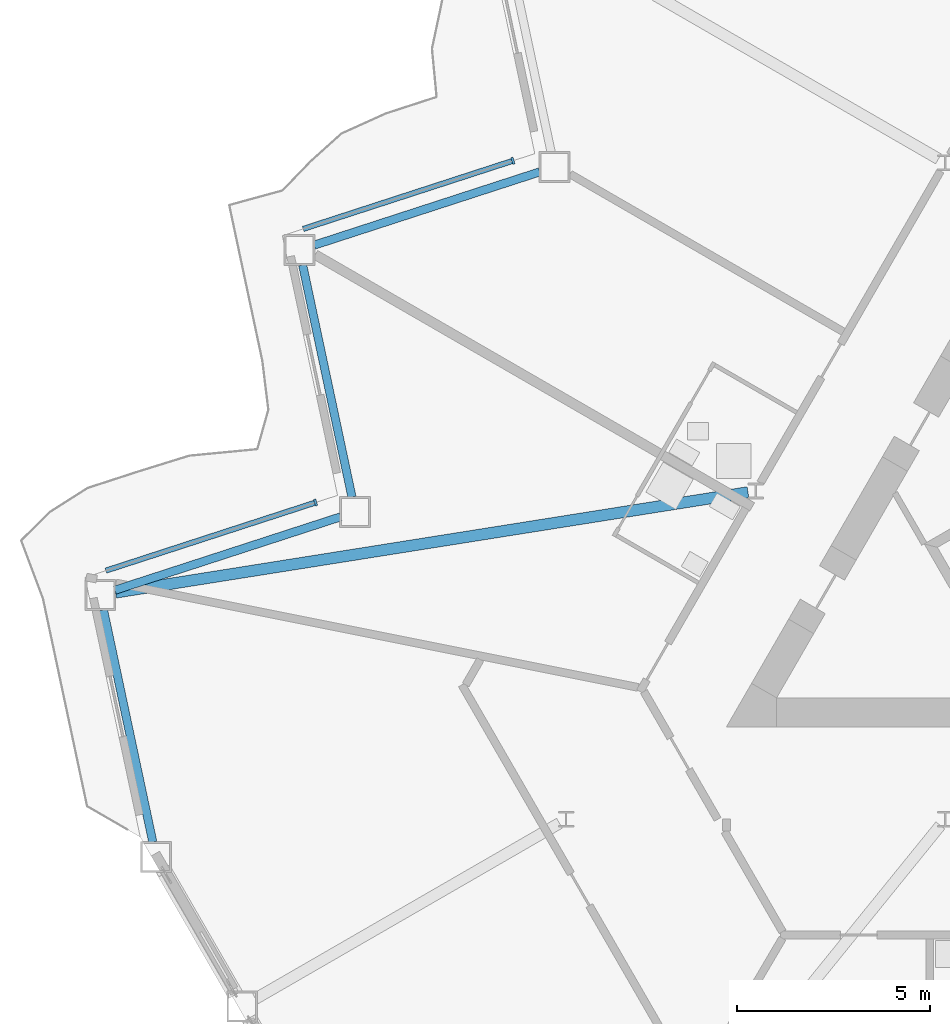
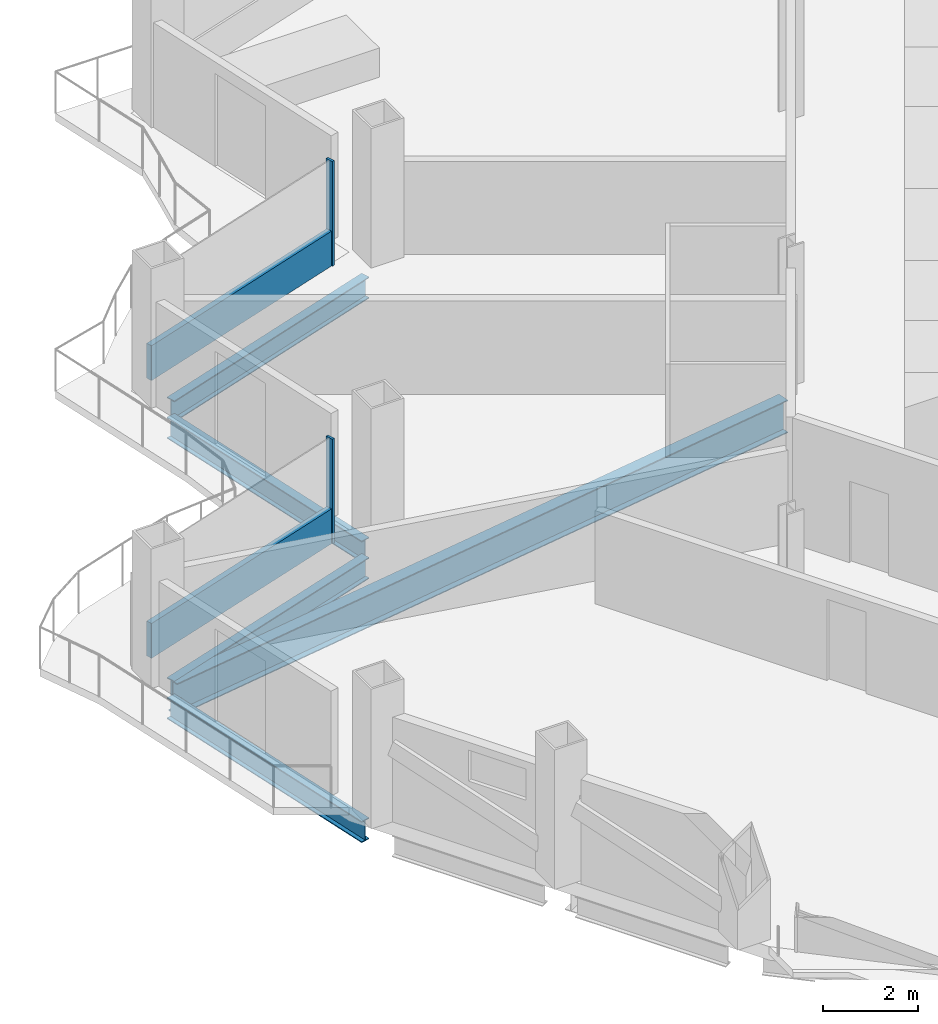
# One storey, part 4 of 23: 5 beams, 4 members, 2 elements without a shape of their own.
"""IFC4 building model written with IfcOpenShell, lengths in metres."""

from ifc_helpers import new_model, si_unit, direction, frame, origin, origin_2d, place, context, subcontext, project, spatial, rectangle, i_section, extrude, material, layer, layer_set, material_profile, profile_set, type_object, element, aggregate, save


model = new_model("IFC4")

# Units and contexts
model_context = context("Model", 3, precision=1e-05, world=origin(), true_north=direction((0.0, 1.0)))
body_context = subcontext(model_context, "Body", "Model", "MODEL_VIEW")
ifc_project = project(units=[si_unit("LENGTHUNIT", "METRE"), si_unit("AREAUNIT", "SQUARE_METRE"), si_unit("VOLUMEUNIT", "CUBIC_METRE"), si_unit("PLANEANGLEUNIT", "RADIAN"), si_unit("MASSUNIT", "GRAM", prefix="KILO")], contexts=[model_context])

# Site, building, storey
site_placement = place(None, origin())
site = spatial("IfcSite", under=ifc_project, at=site_placement, CompositionType="ELEMENT")
building_placement = place(site_placement, origin())
building = spatial("IfcBuilding", under=site, at=building_placement, Name="Cormorant Prow Tower", CompositionType="ELEMENT")
storey_placement = place(building_placement, frame((0.0, 0.0, 172.800048828125)))
storey = spatial("IfcBuildingStorey", under=building, at=storey_placement, Name="L36", CompositionType="ELEMENT", Elevation=172.800048828125)

# Curtain wall, member
ifc_material_1 = material(Name="Aluminium 6063-T6", Category="aluminium")
ifc_layer = layer(ifc_material_1, 0.179931640625)
ifc_layer_set = layer_set([ifc_layer], Name="Aluminium 6063-T6")
curtain_wall_type = type_object("IfcCurtainWallType", Name="Hotel unitised curtain wall 180", PredefinedType="NOTDEFINED", material=ifc_layer_set)
curtain_wall_1_placement = place(storey_placement, origin())
curtain_wall_1 = element("IfcCurtainWall", 1, at=curtain_wall_1_placement, inside=storey, type_object=curtain_wall_type, Name="Hotel curtain wall WNW06", PredefinedType="NOTDEFINED")
ifc_material_2 = material(Name="Aluminium 6063-T6", Category="aluminium")
ifc_material_profile_1 = material_profile(ifc_material_2, rectangle(XDim=0.179931640625, YDim=0.06005859375, at=origin_2d()), Name="Hotel mullion 60x180")
ifc_profile_set_1 = profile_set([ifc_material_profile_1], Name="Aluminium 6063-T6")
member_type_1 = type_object("IfcMemberType", Name="Hotel mullion 60x180", PredefinedType="MULLION", material=ifc_profile_set_1)
member_1_placement = place(storey_placement, frame((-21.039794921875, 5.72705078125, 0.0), z_axis=(0.0, 0.0, 1.0), x_axis=(0.309016937722, -0.951056534703, 0.0)))
member_1 = element("IfcMember", 2, at=member_1_placement, type_object=member_type_1, Name="Hotel mullion WNW06", PredefinedType="MULLION", context=body_context, shape_type="SweptSolid", body=[
    extrude(rectangle(XDim=0.179931640625, YDim=0.06005859375, at=origin_2d()), origin(), (0.0, 0.0, 1.0), 2.700927734375),
])

curtain_wall_2_placement = place(storey_placement, origin())
curtain_wall_2 = element("IfcCurtainWall", 3, at=curtain_wall_2_placement, inside=storey, type_object=curtain_wall_type, Name="Hotel curtain wall WNW08", PredefinedType="NOTDEFINED")
member_2_placement = place(storey_placement, frame((-26.155517578125, -3.133544921875, 0.0), z_axis=(0.0, 0.0, 1.0), x_axis=(0.309017069121, -0.951056492009, 0.0)))
member_2 = element("IfcMember", 4, at=member_2_placement, type_object=member_type_1, Name="Hotel mullion WNW08", PredefinedType="MULLION", context=body_context, shape_type="SweptSolid", body=[
    extrude(rectangle(XDim=0.179931640625, YDim=0.06005859375, at=origin_2d()), origin(), (0.0, 0.0, 1.0), 2.700927734375),
])

# Member
ifc_material_3 = material(Name="Terracotta", Category="masonry")
ifc_material_profile_2 = material_profile(ifc_material_3, rectangle(XDim=0.139892578125, YDim=0.89990234375, at=origin_2d()), Name="Hotel terracotta spandrel rail 140x900")
ifc_profile_set_2 = profile_set([ifc_material_profile_2], Name="Terracotta")
member_type_2 = type_object("IfcMemberType", Name="Hotel terracotta spandrel rail 140x900", PredefinedType="USERDEFINED", material=ifc_profile_set_2)
member_3_placement = place(storey_placement, frame((-21.068359375, 5.7177734375, 0.449951171875), z_axis=(-0.951059615859, -0.309007454735, 0.0), x_axis=(0.309007454735, -0.951059615859, 0.0)))
member_3 = element("IfcMember", 5, at=member_3_placement, type_object=member_type_2, Name="Hotel spandrel rail WNW06", ObjectType="TRANSOM", PredefinedType="USERDEFINED", context=body_context, shape_type="SweptSolid", body=[
    extrude(rectangle(XDim=0.139892578125, YDim=0.89990234375, at=origin_2d()), origin(), (0.0, 0.0, 1.0), 5.687744140625),
])

aggregate(curtain_wall_1, [member_1, member_3])

member_4_placement = place(storey_placement, frame((-26.18408203125, -3.142822265625, 0.449951171875), z_axis=(-0.951059615859, -0.309007454735, 0.0), x_axis=(0.309007454735, -0.951059615859, 0.0)))
member_4 = element("IfcMember", 6, at=member_4_placement, type_object=member_type_2, Name="Hotel spandrel rail WNW08", ObjectType="TRANSOM", PredefinedType="USERDEFINED", context=body_context, shape_type="SweptSolid", body=[
    extrude(rectangle(XDim=0.139892578125, YDim=0.89990234375, at=origin_2d()), origin(), (0.0, 0.0, 1.0), 5.687744140625),
])

aggregate(curtain_wall_2, [member_2, member_4])

# Beams
ifc_material_4 = material(Name="Structural steel ASTM A992 Gr 50", Category="steel")
ifc_material_profile_3 = material_profile(ifc_material_4, i_section(OverallWidth=0.29296875, OverallDepth=0.845703125, WebThickness=0.015380859375, FlangeThickness=0.0244140625, at=origin_2d()), Name="W33x141")
ifc_profile_set_3 = profile_set([ifc_material_profile_3], Name="Structural steel ASTM A992 Gr 50")
beam_type_1 = type_object("IfcBeamType", Name="Radial floor beam W33x141", PredefinedType="BEAM", material=ifc_profile_set_3)
beam_1_placement = place(storey_placement, frame((-14.94384765625, -2.869140625, -0.77294921875), z_axis=(-0.987678058302, -0.156499371084, 0.0), x_axis=(0.156499371084, -0.987678058302, 0.0)))
element("IfcBeam", 7, at=beam_1_placement, inside=storey, type_object=beam_type_1, Name="Radial floor beam FB2 4 L36", PredefinedType="BEAM", context=body_context, shape_type="SweptSolid", body=[
    extrude(i_section(OverallWidth=0.29296875, OverallDepth=0.845703125, WebThickness=0.015380859375, FlangeThickness=0.0244140625, at=origin_2d()), origin(), (0.0, 0.0, 1.0), 16.604736328125),
])
ifc_material_5 = material(Name="Structural steel ASTM A992 Gr 50", Category="steel")
ifc_material_profile_4 = material_profile(ifc_material_5, i_section(OverallWidth=0.2138671875, OverallDepth=0.549072265625, WebThickness=0.0146484375, FlangeThickness=0.023681640625, at=origin_2d()), Name="W21x93")
ifc_profile_set_4 = profile_set([ifc_material_profile_4], Name="Structural steel ASTM A992 Gr 50")
beam_type_2 = type_object("IfcBeamType", Name="Spandrel beam W21x93", PredefinedType="SPANDREL", material=ifc_profile_set_4)
beam_2_placement = place(storey_placement, frame((-20.344970703125, 5.439208984375, -0.62451171875), z_axis=(-0.951057696564, -0.309013361859, 0.0), x_axis=(0.309013361859, -0.951057696564, 0.0)))
element("IfcBeam", 8, at=beam_2_placement, inside=storey, type_object=beam_type_2, Name="Spandrel beam SB2 WNW06-WNW07 L36", PredefinedType="SPANDREL", context=body_context, shape_type="SweptSolid", body=[
    extrude(i_section(OverallWidth=0.2138671875, OverallDepth=0.549072265625, WebThickness=0.0146484375, FlangeThickness=0.023681640625, at=origin_2d()), origin(), (0.0, 0.0, 1.0), 6.14990234375),
])
beam_3_placement = place(storey_placement, frame((-26.490966796875, 3.02392578125, -0.62451171875), z_axis=(0.207904811195, -0.978149063018, 0.0), x_axis=(0.978149063018, 0.207904811195, 0.0)))
element("IfcBeam", 9, at=beam_3_placement, inside=storey, type_object=beam_type_2, Name="Spandrel beam SB2 WNW07-WNW08 L36", PredefinedType="SPANDREL", context=body_context, shape_type="SweptSolid", body=[
    extrude(i_section(OverallWidth=0.2138671875, OverallDepth=0.549072265625, WebThickness=0.0146484375, FlangeThickness=0.023681640625, at=origin_2d()), origin(), (0.0, 0.0, 1.0), 6.149658203125),
])
beam_4_placement = place(storey_placement, frame((-25.509765625, -3.50634765625, -0.62451171875), z_axis=(-0.951057696564, -0.309013361859, 0.0), x_axis=(0.309013361859, -0.951057696564, 0.0)))
element("IfcBeam", 10, at=beam_4_placement, inside=storey, type_object=beam_type_2, Name="Spandrel beam SB2 WNW08-WNW09 L36", PredefinedType="SPANDREL", context=body_context, shape_type="SweptSolid", body=[
    extrude(i_section(OverallWidth=0.2138671875, OverallDepth=0.549072265625, WebThickness=0.0146484375, FlangeThickness=0.023681640625, at=origin_2d()), origin(), (0.0, 0.0, 1.0), 6.14990234375),
])
beam_5_placement = place(storey_placement, frame((-31.65576171875, -5.921630859375, -0.62451171875), z_axis=(0.207904811195, -0.978149063018, 0.0), x_axis=(0.978149063018, 0.207904811195, 0.0)))
element("IfcBeam", 11, at=beam_5_placement, inside=storey, type_object=beam_type_2, Name="Spandrel beam SB2 WNW09-WSW00 L36", PredefinedType="SPANDREL", context=body_context, shape_type="SweptSolid", body=[
    extrude(i_section(OverallWidth=0.2138671875, OverallDepth=0.549072265625, WebThickness=0.0146484375, FlangeThickness=0.023681640625, at=origin_2d()), origin(), (0.0, 0.0, 1.0), 6.149658203125),
])

save(model, "model.ifc")
